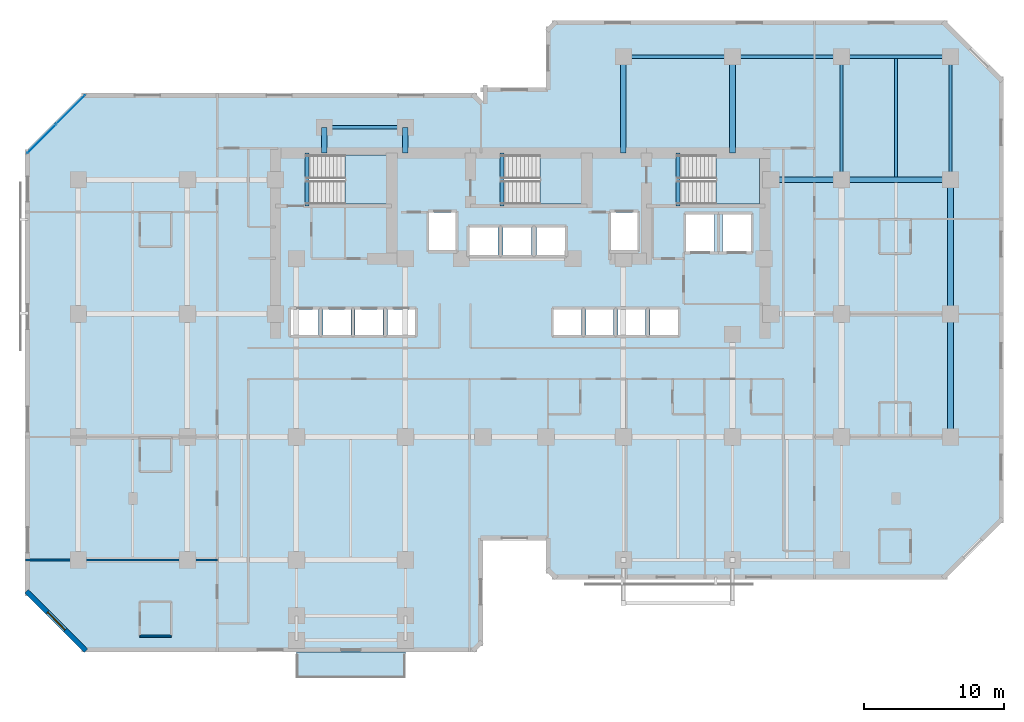
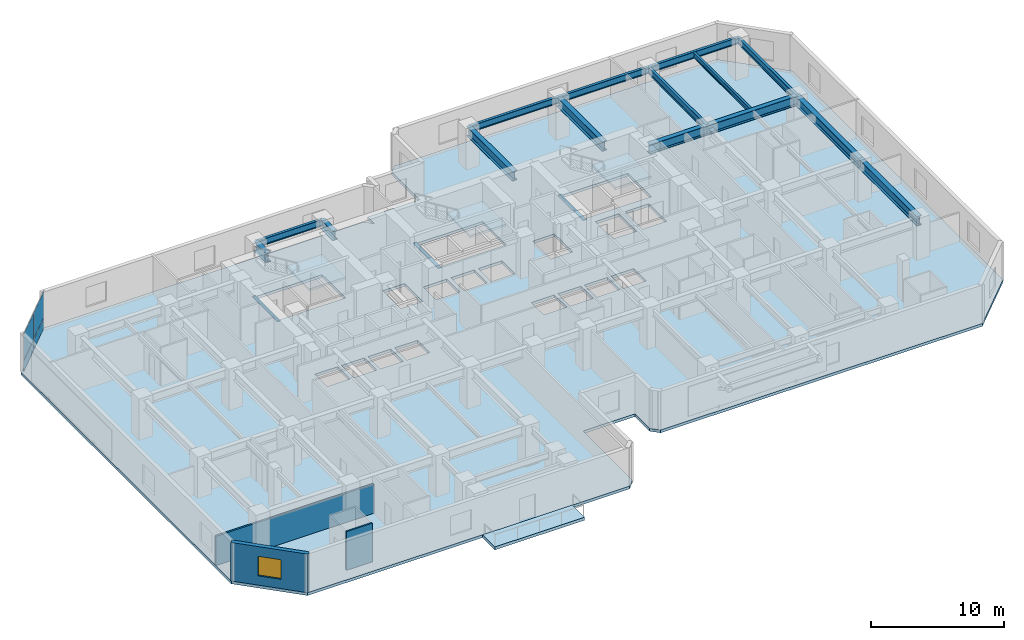
# One storey, part 5 of 12: 18 beams, 5 slabs, 4 plates, 3 walls, 1 window, 1 opening, 4 elements without a shape of their own.
"""IFC4 building model written with IfcOpenShell, lengths in metres."""

import ifcopenshell
import ifcopenshell.guid

model = None  # the IFC model being written
_history = None  # IfcOwnerHistory: only IFC2X3 demands one
_inside = {}  # id of a spatial element -> (the spatial element, [elements in it])
_under = {}  # id of a project, library or spatial element -> (it, [spatial elements below it])
_declared = {}  # id of a project -> (the project, [libraries it declares])
_typed = {}  # id of a type object -> (the type object, [elements of that type])
_made_of = {}  # id of a material, layer set ... -> (it, [elements and type objects made of it])


def new_model(schema):
    """Start an empty IFC model of exactly this schema.

    Asked for "IFC4X3", IfcOpenShell would pick the latest addendum, in which some entities
    have other attributes; the version numbers below select the first issue.
    IFC2X3 requires an IfcOwnerHistory on every rooted entity: one is made here for all.
    """
    global model, _history
    if schema == "IFC4X3":
        model = ifcopenshell.file(schema_version=(4, 3, 0, 0))
    else:
        model = ifcopenshell.file(schema=schema)
    _inside.clear()
    _under.clear()
    _declared.clear()
    _typed.clear()
    _made_of.clear()
    _history = None
    if model.schema == "IFC2X3":
        org = make("IfcOrganization", Name="unknown")
        user = make(
            "IfcPersonAndOrganization",
            ThePerson=make("IfcPerson", FamilyName="unknown"),
            TheOrganization=org,
        )
        app = make(
            "IfcApplication",
            ApplicationDeveloper=org,
            Version="unknown",
            ApplicationFullName="unknown",
            ApplicationIdentifier="unknown",
        )
        _history = make(
            "IfcOwnerHistory",
            OwningUser=user,
            OwningApplication=app,
            ChangeAction="ADDED",
            CreationDate=0,
        )
    return model


def make(cls, **values):
    """One entity of the class cls with the attributes given. An attribute that is None is left unset."""
    return model.create_entity(
        cls, **{name: value for name, value in values.items() if value is not None}
    )


def rooted(cls, **values):
    """An entity with a GlobalId (a new one), such as an element, a storey or a relation."""
    return make(cls, GlobalId=ifcopenshell.guid.new(), OwnerHistory=_history, **values)


def si_unit(unit_type, name, prefix=None):
    """IfcSIUnit, for example si_unit("LENGTHUNIT", "METRE", prefix="MILLI")."""
    return make("IfcSIUnit", UnitType=unit_type, Prefix=prefix, Name=name)


def assignment(units):
    """IfcUnitAssignment: the units of a project."""
    return None if units is None else make("IfcUnitAssignment", Units=units)


def point(xyz):
    """IfcCartesianPoint."""
    return None if xyz is None else make("IfcCartesianPoint", Coordinates=xyz)


def direction(xyz):
    """IfcDirection."""
    return None if xyz is None else make("IfcDirection", DirectionRatios=xyz)


def frame(location, z_axis=None, x_axis=None):
    """IfcAxis2Placement3D, a coordinate frame: its origin and axes. An axis left out is left unset."""
    return make(
        "IfcAxis2Placement3D",
        Location=point(location),
        Axis=direction(z_axis),
        RefDirection=direction(x_axis),
    )


def frame_2d(location, x_axis=None):
    """IfcAxis2Placement2D, a coordinate frame in the plane: its origin and x axis."""
    return make(
        "IfcAxis2Placement2D", Location=point(location), RefDirection=direction(x_axis)
    )


def origin():
    """The frame at (0, 0, 0) with its axes left unset."""
    return frame((0.0, 0.0, 0.0))


def origin_2d():
    """The frame at (0, 0) in the plane with its x axis left unset."""
    return frame_2d((0.0, 0.0))


def place(relative_to, where):
    """IfcLocalPlacement: puts the frame where relative to a parent placement (None: the world)."""
    return make(
        "IfcLocalPlacement", PlacementRelTo=relative_to, RelativePlacement=where
    )


def context(
    kind, dimensions, precision=None, world=None, true_north=None, identifier=None
):
    """IfcGeometricRepresentationContext, for example the 3D "Model" context."""
    return make(
        "IfcGeometricRepresentationContext",
        ContextIdentifier=identifier,
        ContextType=kind,
        CoordinateSpaceDimension=dimensions,
        Precision=precision,
        WorldCoordinateSystem=world,
        TrueNorth=true_north,
    )


def subcontext(parent, identifier, kind, view, scale=None):
    """IfcGeometricRepresentationSubContext, for example "Body" below "Model"."""
    return make(
        "IfcGeometricRepresentationSubContext",
        ContextIdentifier=identifier,
        ContextType=kind,
        ParentContext=parent,
        TargetScale=scale,
        TargetView=view,
    )


def project(units=None, contexts=None):
    """IfcProject with its units and contexts."""
    return rooted(
        "IfcProject",
        Name="project",
        RepresentationContexts=contexts,
        UnitsInContext=assignment(units),
    )


def spatial(cls, under=None, at=None, **own):
    """A site, building, storey or space (cls), placed at a placement, below another one or the project."""
    s = rooted(cls, ObjectPlacement=at, **own)
    if under is not None:
        _under.setdefault(under.id(), (under, []))[1].append(s)
    return s


def polyline(points):
    """IfcPolyline through the points."""
    return make("IfcPolyline", Points=[point(p) for p in points])


def profile(cls, at=None, kind="AREA", **sizes):
    """A parametric profile (cls). Its sizes go by their IFC names, for example OverallWidth=200.0."""
    return make(cls, ProfileType=kind, Position=at, **sizes)


def rectangle(**sizes):
    """IfcRectangleProfileDef."""
    return profile("IfcRectangleProfileDef", **sizes)


def i_section(**sizes):
    """IfcIShapeProfileDef."""
    return profile("IfcIShapeProfileDef", **sizes)


def outline(outer, holes=None, kind="AREA"):
    """IfcArbitraryClosedProfileDef: a profile drawn as a closed curve; with holes, ...WithVoids."""
    if holes is None:
        return make("IfcArbitraryClosedProfileDef", ProfileType=kind, OuterCurve=outer)
    return make(
        "IfcArbitraryProfileDefWithVoids",
        ProfileType=kind,
        OuterCurve=outer,
        InnerCurves=holes,
    )


def extrude(swept, where, along, depth):
    """IfcExtrudedAreaSolid: the profile swept, set in the frame where, extruded along a direction by depth."""
    return make(
        "IfcExtrudedAreaSolid",
        SweptArea=swept,
        Position=where,
        ExtrudedDirection=direction(along),
        Depth=depth,
    )


def shape(context_of_items, identifier, shape_type, items):
    """IfcShapeRepresentation: the items that make up one representation, for example the "Body"."""
    return make(
        "IfcShapeRepresentation",
        ContextOfItems=context_of_items,
        RepresentationIdentifier=identifier,
        RepresentationType=shape_type,
        Items=items,
    )


def material(Name=None, Category=None):
    """IfcMaterial."""
    return make("IfcMaterial", Name=Name, Category=Category)


def layer(
    of_material, thickness, ventilated=None, Name=None, Category=None, Priority=None
):
    """IfcMaterialLayer: one layer of a wall or slab, of a material (None: an air gap)."""
    return make(
        "IfcMaterialLayer",
        Material=of_material,
        LayerThickness=thickness,
        IsVentilated=ventilated,
        Name=Name,
        Category=Category,
        Priority=Priority,
    )


def layer_set(layers, Name=None):
    """IfcMaterialLayerSet."""
    return make("IfcMaterialLayerSet", MaterialLayers=layers, LayerSetName=Name)


def material_profile(
    of_material, cross_section, Name=None, Category=None, Priority=None
):
    """IfcMaterialProfile: a cross section and its material."""
    return make(
        "IfcMaterialProfile",
        Name=Name,
        Material=of_material,
        Profile=cross_section,
        Priority=Priority,
        Category=Category,
    )


def profile_set(profiles, Name=None, composite=None):
    """IfcMaterialProfileSet."""
    return make(
        "IfcMaterialProfileSet",
        Name=Name,
        MaterialProfiles=profiles,
        CompositeProfile=composite,
    )


def made_of(thing, what):
    """Note that an element or type object is made of a material, layer set ...; save() writes the relation."""
    if what is not None:
        _made_of.setdefault(what.id(), (what, []))[1].append(thing)
    return thing


def type_object(cls, material=None, **own):
    """A type object (cls), such as IfcWallType, which elements share."""
    return made_of(rooted(cls, **own), material)


def element(
    cls,
    number,
    at=None,
    inside=None,
    cuts=None,
    type_object=None,
    material=None,
    context=None,
    identifier="Body",
    shape_type=None,
    held_by="IfcProductDefinitionShape",
    body=None,
    shapes=None,
    **own,
):
    """One element of the class cls, such as IfcWall. Its Tag is "e" and its number.

    at: its placement. inside: the storey or other place that contains it. cuts: it is an
    opening in that element (IfcRelVoidsElement). A single representation is given by context,
    identifier, shape_type and body (its items); several are given by shapes. held_by: the class
    of the entity that holds the representations. save() writes the other relations.
    """
    e = rooted(cls, Tag="e%d" % number, ObjectPlacement=at, **own)
    if body is not None:
        shapes = [shape(context, identifier, shape_type, body)]
    if shapes is not None:
        e.Representation = make(held_by, Representations=shapes)
    if inside is not None:
        _inside.setdefault(inside.id(), (inside, []))[1].append(e)
    if cuts is not None:
        rooted(
            "IfcRelVoidsElement", RelatingBuildingElement=cuts, RelatedOpeningElement=e
        )
    if type_object is not None:
        _typed.setdefault(type_object.id(), (type_object, []))[1].append(e)
    return made_of(e, material)


def fill(opening, filler):
    """IfcRelFillsElement: the door or window that sits in an opening."""
    return rooted(
        "IfcRelFillsElement",
        RelatingOpeningElement=opening,
        RelatedBuildingElement=filler,
    )


def aggregate(whole, parts):
    """IfcRelAggregates: a whole, such as a stair, and the parts it consists of."""
    return rooted("IfcRelAggregates", RelatingObject=whole, RelatedObjects=parts)


def save(model, path):
    """Write the relations noted so far, then the file.

    IfcRelAggregates (storeys below a building ...), IfcRelContainedInSpatialStructure (elements
    in a storey), IfcRelDefinesByType, IfcRelAssociatesMaterial and IfcRelDeclares: one each for
    every whole, place, type object, material and project.
    """
    for whole, parts in _under.values():
        aggregate(whole, parts)
    for where, things in _inside.values():
        rooted(
            "IfcRelContainedInSpatialStructure",
            RelatedElements=things,
            RelatingStructure=where,
        )
    for kind, things in _typed.values():
        rooted("IfcRelDefinesByType", RelatedObjects=things, RelatingType=kind)
    for what, things in _made_of.values():
        rooted("IfcRelAssociatesMaterial", RelatedObjects=things, RelatingMaterial=what)
    for by, libraries in _declared.values():
        rooted("IfcRelDeclares", RelatingContext=by, RelatedDefinitions=libraries)
    model.write(path)


model = new_model("IFC4")

# Units and contexts
model_context = context("Model", 3, precision=1e-05, world=origin(), true_north=direction((0.0, 1.0)))
body_context = subcontext(model_context, "Body", "Model", "MODEL_VIEW")
ifc_project = project(units=[si_unit("LENGTHUNIT", "METRE"), si_unit("AREAUNIT", "SQUARE_METRE"), si_unit("VOLUMEUNIT", "CUBIC_METRE"), si_unit("PLANEANGLEUNIT", "RADIAN"), si_unit("MASSUNIT", "GRAM", prefix="KILO")], contexts=[model_context])

# Site, building, storey
site_placement = place(None, origin())
site = spatial("IfcSite", under=ifc_project, at=site_placement, CompositionType="ELEMENT")
building_placement = place(site_placement, origin())
building = spatial("IfcBuilding", under=site, at=building_placement, Name="Kestravale Grand Hotel", CompositionType="ELEMENT")
storey_placement = place(building_placement, frame((0.0, 0.0, 103.199951171875)))
storey = spatial("IfcBuildingStorey", under=building, at=storey_placement, Name="L25", CompositionType="ELEMENT", Elevation=103.199951171875)

# Beams
ifc_material_1 = material(Name="Steel ASTM A992 Grade 50", Category="steel")
ifc_material_profile_1 = material_profile(ifc_material_1, i_section(OverallWidth=0.19091796875, OverallDepth=0.45703125, WebThickness=0.009033203125, FlangeThickness=0.014404296875, FilletRadius=0.015380859375, at=origin_2d()))
ifc_profile_set_1 = profile_set([ifc_material_profile_1], Name="Steel ASTM A992 Grade 50")
beam_type_1 = type_object("IfcBeamType", Name="B-FLR-JST18", PredefinedType="JOIST", material=ifc_profile_set_1)
beam_1_placement = place(storey_placement, frame((66.300048828125, 38.6005859375, 3.3115234375), z_axis=(0.0, 1.0, 0.0), x_axis=(-1.0, 0.0, 0.0)))
element("IfcBeam", 1, at=beam_1_placement, inside=storey, type_object=beam_type_1, Name="L25 floor joist 10-11/F-G #1", PredefinedType="JOIST", context=body_context, shape_type="SweptSolid", body=[
    extrude(i_section(OverallWidth=0.19091796875, OverallDepth=0.45703125, WebThickness=0.009033203125, FlangeThickness=0.014404296875, FilletRadius=0.015380859375, at=origin_2d()), origin(), (0.0, 0.0, 1.0), 8.48486328125),
])
ifc_material_2 = material(Name="Concrete f'c 45 MPa", Category="concrete")
ifc_material_profile_2 = material_profile(ifc_material_2, rectangle(XDim=0.300048828125, YDim=0.39990234375, at=origin_2d()))
ifc_profile_set_2 = profile_set([ifc_material_profile_2], Name="Concrete f'c 45 MPa")
beam_type_2 = type_object("IfcBeamType", Name="B-FLR-LNT400", PredefinedType="LINTEL", material=ifc_profile_set_2)
for number, where, z_axis, x_axis, name in (
    (2, (24.159912109375, 36.52001953125, -0.199951171875), (0.0, 1.0, 0.0), (-1.0, 0.0, 0.0), "L25 ST1 flight bottom header beam"),
    (3, (38.110107421875, 36.52001953125, -0.199951171875), (0.0, 1.0, 0.0), (-1.0, 0.0, 0.0), "L25 ST2 flight bottom header beam"),
    (4, (50.7099609375, 36.52001953125, -0.199951171875), (0.0, 1.0, 0.0), (-1.0, 0.0, 0.0), "L25 ST3 flight bottom header beam"),
):
    element("IfcBeam", number, at=place(storey_placement, frame(where, z_axis=z_axis, x_axis=x_axis)), inside=storey, type_object=beam_type_2, Name=name, PredefinedType="LINTEL", context=body_context, shape_type="SweptSolid", body=[
        extrude(rectangle(XDim=0.300048828125, YDim=0.39990234375, at=origin_2d()), origin(), (0.0, 0.0, 1.0), 3.800048828125),
    ])
ifc_material_3 = material(Name="Steel ASTM A992 Grade 50", Category="steel")
ifc_material_profile_3 = material_profile(ifc_material_3, i_section(OverallWidth=0.22900390625, OverallDepth=0.612060546875, WebThickness=0.011962890625, FlangeThickness=0.01953125, FilletRadius=0.019287109375, at=origin_2d()))
ifc_profile_set_3 = profile_set([ifc_material_profile_3], Name="Steel ASTM A992 Grade 50")
beam_type_3 = type_object("IfcBeamType", Name="B-FLR-W24B", PredefinedType="SPANDREL", material=ifc_profile_set_3)
beam_2_placement = place(storey_placement, frame((46.800048828125, 47.199951171875, 3.234130859375), z_axis=(1.0, 0.0, 0.0), x_axis=(0.0, 1.0, 0.0)))
element("IfcBeam", 5, at=beam_2_placement, inside=storey, type_object=beam_type_3, Name="L25 spandrel G:8-9", PredefinedType="SPANDREL", context=body_context, shape_type="SweptSolid", body=[
    extrude(i_section(OverallWidth=0.22900390625, OverallDepth=0.612060546875, WebThickness=0.011962890625, FlangeThickness=0.01953125, FilletRadius=0.019287109375, at=origin_2d()), origin(), (0.0, 0.0, 1.0), 7.800048828125),
])
beam_3_placement = place(storey_placement, frame((54.60009765625, 47.199951171875, 3.234130859375), z_axis=(1.0, 0.0, 0.0), x_axis=(0.0, 1.0, 0.0)))
element("IfcBeam", 6, at=beam_3_placement, inside=storey, type_object=beam_type_3, Name="L25 spandrel G:9-10", PredefinedType="SPANDREL", context=body_context, shape_type="SweptSolid", body=[
    extrude(i_section(OverallWidth=0.22900390625, OverallDepth=0.612060546875, WebThickness=0.011962890625, FlangeThickness=0.01953125, FilletRadius=0.019287109375, at=origin_2d()), origin(), (0.0, 0.0, 1.0), 7.7998046875),
])
beam_4_placement = place(storey_placement, frame((62.39990234375, 47.199951171875, 3.234130859375), z_axis=(1.0, 0.0, 0.0), x_axis=(0.0, 1.0, 0.0)))
element("IfcBeam", 7, at=beam_4_placement, inside=storey, type_object=beam_type_3, Name="L25 spandrel G:10-11", PredefinedType="SPANDREL", context=body_context, shape_type="SweptSolid", body=[
    extrude(i_section(OverallWidth=0.22900390625, OverallDepth=0.612060546875, WebThickness=0.011962890625, FlangeThickness=0.01953125, FilletRadius=0.019287109375, at=origin_2d()), origin(), (0.0, 0.0, 1.0), 7.800048828125),
])
beam_5_placement = place(storey_placement, frame((25.39990234375, 42.14990234375, 3.234130859375), z_axis=(1.0, 0.0, 0.0), x_axis=(0.0, 1.0, 0.0)))
element("IfcBeam", 8, at=beam_5_placement, inside=storey, type_object=beam_type_3, Name="L25 perimeter tie spandrel FN:4-5", PredefinedType="SPANDREL", context=body_context, shape_type="SweptSolid", body=[
    extrude(i_section(OverallWidth=0.22900390625, OverallDepth=0.612060546875, WebThickness=0.011962890625, FlangeThickness=0.01953125, FilletRadius=0.019287109375, at=origin_2d()), origin(), (0.0, 0.0, 1.0), 5.800048828125),
])
for number, where, z_axis, x_axis, name in (
    (9, (62.39990234375, 38.39990234375, 3.234130859375), (0.0, 1.0, 0.0), (-1.0, 0.0, 0.0), "L25 spandrel 10:F-G"),
    (10, (70.199951171875, 38.39990234375, 3.234130859375), (0.0, 1.0, 0.0), (-1.0, 0.0, 0.0), "L25 spandrel 11:F-G"),
):
    element("IfcBeam", number, at=place(storey_placement, frame(where, z_axis=z_axis, x_axis=x_axis)), inside=storey, type_object=beam_type_3, Name=name, PredefinedType="SPANDREL", context=body_context, shape_type="SweptSolid", body=[
        extrude(i_section(OverallWidth=0.22900390625, OverallDepth=0.612060546875, WebThickness=0.011962890625, FlangeThickness=0.01953125, FilletRadius=0.019287109375, at=origin_2d()), origin(), (0.0, 0.0, 1.0), 8.800048828125),
    ])
ifc_material_4 = material(Name="Steel ASTM A992 Grade 50", Category="steel")
ifc_material_profile_4 = material_profile(ifc_material_4, i_section(OverallWidth=0.40087890625, OverallDepth=0.861083984375, WebThickness=0.019775390625, FlangeThickness=0.032470703125, FilletRadius=0.0234375, at=origin_2d()))
ifc_profile_set_4 = profile_set([ifc_material_profile_4], Name="Steel ASTM A992 Grade 50")
beam_type_4 = type_object("IfcBeamType", Name="B-GRD-W33", PredefinedType="BEAM", material=ifc_profile_set_4)
beam_6_placement = place(storey_placement, frame((57.35009765625, 38.39990234375, 3.109619140625), z_axis=(1.0, 0.0, 0.0), x_axis=(0.0, 1.0, 0.0)))
element("IfcBeam", 11, at=beam_6_placement, inside=storey, type_object=beam_type_4, Name="L25 girder F:CE-10", PredefinedType="BEAM", context=body_context, shape_type="SweptSolid", body=[
    extrude(i_section(OverallWidth=0.40087890625, OverallDepth=0.861083984375, WebThickness=0.019775390625, FlangeThickness=0.032470703125, FilletRadius=0.0234375, at=origin_2d()), origin(), (0.0, 0.0, 1.0), 5.0498046875),
])
beam_7_placement = place(storey_placement, frame((62.39990234375, 38.39990234375, 3.109619140625), z_axis=(1.0, 0.0, 0.0), x_axis=(0.0, 1.0, 0.0)))
element("IfcBeam", 12, at=beam_7_placement, inside=storey, type_object=beam_type_4, Name="L25 girder F:10-11", PredefinedType="BEAM", context=body_context, shape_type="SweptSolid", body=[
    extrude(i_section(OverallWidth=0.40087890625, OverallDepth=0.861083984375, WebThickness=0.019775390625, FlangeThickness=0.032470703125, FilletRadius=0.0234375, at=origin_2d()), origin(), (0.0, 0.0, 1.0), 7.800048828125),
])
beam_8_placement = place(storey_placement, frame((70.199951171875, 20.0, 3.109619140625), z_axis=(0.0, 1.0, 0.0), x_axis=(-1.0, 0.0, 0.0)))
element("IfcBeam", 13, at=beam_8_placement, inside=storey, type_object=beam_type_4, Name="L25 girder 11:D-E", PredefinedType="BEAM", context=body_context, shape_type="SweptSolid", body=[
    extrude(i_section(OverallWidth=0.40087890625, OverallDepth=0.861083984375, WebThickness=0.019775390625, FlangeThickness=0.032470703125, FilletRadius=0.0234375, at=origin_2d()), origin(), (0.0, 0.0, 1.0), 8.800048828125),
])
beam_9_placement = place(storey_placement, frame((70.199951171875, 28.800048828125, 3.109619140625), z_axis=(0.0, 1.0, 0.0), x_axis=(-1.0, 0.0, 0.0)))
element("IfcBeam", 14, at=beam_9_placement, inside=storey, type_object=beam_type_4, Name="L25 girder 11:E-F", PredefinedType="BEAM", context=body_context, shape_type="SweptSolid", body=[
    extrude(i_section(OverallWidth=0.40087890625, OverallDepth=0.861083984375, WebThickness=0.019775390625, FlangeThickness=0.032470703125, FilletRadius=0.0234375, at=origin_2d()), origin(), (0.0, 0.0, 1.0), 9.599853515625),
])
for number, where, z_axis, x_axis, name in (
    (15, (25.39990234375, 40.320068359375, 3.109619140625), (0.0, 1.0, 0.0), (-1.0, 0.0, 0.0), "L25 north wing tie girder 4:CN-FN"),
    (16, (31.199951171875, 40.320068359375, 3.109619140625), (0.0, 1.0, 0.0), (-1.0, 0.0, 0.0), "L25 north wing tie girder 5:CN-FN"),
):
    element("IfcBeam", number, at=place(storey_placement, frame(where, z_axis=z_axis, x_axis=x_axis)), inside=storey, type_object=beam_type_4, Name=name, PredefinedType="BEAM", context=body_context, shape_type="SweptSolid", body=[
        extrude(i_section(OverallWidth=0.40087890625, OverallDepth=0.861083984375, WebThickness=0.019775390625, FlangeThickness=0.032470703125, FilletRadius=0.0234375, at=origin_2d()), origin(), (0.0, 0.0, 1.0), 1.829833984375),
    ])
for number, where, z_axis, x_axis, name in (
    (17, (46.800048828125, 40.320068359375, 3.109619140625), (0.0, 1.0, 0.0), (-1.0, 0.0, 0.0), "L25 north wing tie girder 8:CN-G"),
    (18, (54.60009765625, 40.320068359375, 3.109619140625), (0.0, 1.0, 0.0), (-1.0, 0.0, 0.0), "L25 north wing tie girder 9:CN-G"),
):
    element("IfcBeam", number, at=place(storey_placement, frame(where, z_axis=z_axis, x_axis=x_axis)), inside=storey, type_object=beam_type_4, Name=name, PredefinedType="BEAM", context=body_context, shape_type="SweptSolid", body=[
        extrude(i_section(OverallWidth=0.40087890625, OverallDepth=0.861083984375, WebThickness=0.019775390625, FlangeThickness=0.032470703125, FilletRadius=0.0234375, at=origin_2d()), origin(), (0.0, 0.0, 1.0), 6.8798828125),
    ])

# Curtain wall, plates
ifc_material_5 = material(Name="Thermally broken champagne-bronze aluminium and low-E glazing", Category="aluminium")
ifc_layer_1 = layer(ifc_material_5, 0.199951171875)
ifc_layer_set_1 = layer_set([ifc_layer_1], Name="CW-Z2")
curtain_wall_type = type_object("IfcCurtainWallType", Name="CW-Z2", PredefinedType="NOTDEFINED", material=ifc_layer_set_1)
curtain_wall_placement = place(storey_placement, origin())
curtain_wall = element("IfcCurtainWall", 19, at=curtain_wall_placement, inside=storey, type_object=curtain_wall_type, Name="L25 unitised curtain wall 18", PredefinedType="NOTDEFINED")
ifc_material_6 = material(Name="Insulated clear low-E double glazing IGU", Category="glass")
ifc_layer_2 = layer(ifc_material_6, 0.031982421875)
ifc_layer_set_2 = layer_set([ifc_layer_2], Name="CW-PNL-32")
plate_type = type_object("IfcPlateType", Name="CW-PNL-32", PredefinedType="CURTAIN_PANEL", material=ifc_layer_set_2)
plate_1_placement = place(storey_placement, frame((7.26416015625, 43.423583984375, 0.06494140625), z_axis=(0.0, 0.0, 1.0), x_axis=(-0.707106781187, -0.707106781187, 0.0)))
plate_1 = element("IfcPlate", 20, at=plate_1_placement, type_object=plate_type, Name="CW-Z2 panel 1.1", PredefinedType="CURTAIN_PANEL", context=body_context, shape_type="SweptSolid", body=[
    extrude(rectangle(XDim=2.87744140625, YDim=0.031982421875, at=origin_2d()), origin(), (0.0, 0.0, 1.0), 0.952392578125),
])
plate_2_placement = place(storey_placement, frame((7.26416015625, 43.423583984375, 1.08251953125), z_axis=(0.0, 0.0, 1.0), x_axis=(-0.707106781187, -0.707106781187, 0.0)))
plate_2 = element("IfcPlate", 21, at=plate_2_placement, type_object=plate_type, Name="CW-Z2 panel 1.2", PredefinedType="CURTAIN_PANEL", context=body_context, shape_type="SweptSolid", body=[
    extrude(rectangle(XDim=2.87744140625, YDim=0.031982421875, at=origin_2d()), origin(), (0.0, 0.0, 1.0), 2.392578125),
])
plate_3_placement = place(storey_placement, frame((5.17626953125, 41.3359375, 0.06494140625), z_axis=(0.0, 0.0, 1.0), x_axis=(-0.707106781187, -0.707106781187, 0.0)))
plate_3 = element("IfcPlate", 22, at=plate_3_placement, type_object=plate_type, Name="CW-Z2 panel 2.1", PredefinedType="CURTAIN_PANEL", context=body_context, shape_type="SweptSolid", body=[
    extrude(rectangle(XDim=2.87744140625, YDim=0.031982421875, at=origin_2d()), origin(), (0.0, 0.0, 1.0), 0.952392578125),
])
plate_4_placement = place(storey_placement, frame((5.17626953125, 41.3359375, 1.08251953125), z_axis=(0.0, 0.0, 1.0), x_axis=(-0.707106781187, -0.707106781187, 0.0)))
plate_4 = element("IfcPlate", 23, at=plate_4_placement, type_object=plate_type, Name="CW-Z2 panel 2.2", PredefinedType="CURTAIN_PANEL", context=body_context, shape_type="SweptSolid", body=[
    extrude(rectangle(XDim=2.87744140625, YDim=0.031982421875, at=origin_2d()), origin(), (0.0, 0.0, 1.0), 2.392578125),
])
aggregate(curtain_wall, [plate_1, plate_2, plate_3, plate_4])

# Slab
ifc_material_7 = material(Name="Concrete f'c 45 MPa", Category="concrete")
ifc_layer_3 = layer(ifc_material_7, 0.27001953125)
ifc_layer_set_3 = layer_set([ifc_layer_3], Name="ES-TERR-270")
slab_type_1 = type_object("IfcSlabType", Name="ES-TERR-270", PredefinedType="FLOOR", material=ifc_layer_set_3)
slab_1_placement = place(storey_placement, frame((0.0, 0.0, -0.27001953125)))
element("IfcSlab", 24, at=slab_1_placement, inside=storey, type_object=slab_type_1, Name="L25 spiralling planted garden terrace", PredefinedType="FLOOR", context=body_context, shape_type="SweptSolid", body=[
    extrude(outline(polyline([(23.39990234375, 2.75), (31.199951171875, 2.75), (31.199951171875, 4.60009765625), (23.39990234375, 4.60009765625), (23.39990234375, 2.75)])), origin(), (0.0, 0.0, 1.0), 0.27001953125),
])

# Stair, slab
ifc_material_8 = material(Name="Concrete f'c 45 MPa", Category="concrete")
stair_type = type_object("IfcStairType", Name="ST-CORE-380", PredefinedType="HALF_TURN_STAIR", material=ifc_material_8)
stair_1_placement = place(storey_placement, origin())
stair_1 = element("IfcStair", 25, at=stair_1_placement, inside=storey, type_object=stair_type, Name="L25 ST-1", PredefinedType="HALF_TURN_STAIR")
ifc_material_9 = material(Name="Concrete f'c 45 MPa", Category="concrete")
ifc_layer_4 = layer(ifc_material_9, 0.199951171875)
ifc_layer_set_4 = layer_set([ifc_layer_4], Name="SLB-ST-LND200")
slab_type_2 = type_object("IfcSlabType", Name="SLB-ST-LND200", PredefinedType="LANDING", material=ifc_layer_set_4)
slab_2_placement = place(storey_placement, frame((0.0, 0.0, 1.699951171875)))
slab_2 = element("IfcSlab", 26, at=slab_2_placement, type_object=slab_type_2, Name="ST-1 landing 1", PredefinedType="LANDING", context=body_context, shape_type="SweptSolid", body=[
    extrude(outline(polyline([(26.8798828125, 36.64990234375), (30.0, 36.64990234375), (30.0, 40.159912109375), (26.8798828125, 40.159912109375), (26.8798828125, 36.64990234375)])), origin(), (0.0, 0.0, 1.0), 0.2001953125),
])
aggregate(stair_1, [slab_2])

stair_2_placement = place(storey_placement, origin())
stair_2 = element("IfcStair", 27, at=stair_2_placement, inside=storey, type_object=stair_type, Name="L25 ST-2", PredefinedType="HALF_TURN_STAIR")
slab_3_placement = place(storey_placement, frame((0.0, 0.0, 1.699951171875)))
slab_3 = element("IfcSlab", 28, at=slab_3_placement, type_object=slab_type_2, Name="ST-2 landing 1", PredefinedType="LANDING", context=body_context, shape_type="SweptSolid", body=[
    extrude(outline(polyline([(40.830078125, 36.64990234375), (43.949951171875, 36.64990234375), (43.949951171875, 40.159912109375), (40.830078125, 40.159912109375), (40.830078125, 36.64990234375)])), origin(), (0.0, 0.0, 1.0), 0.2001953125),
])
aggregate(stair_2, [slab_3])

stair_3_placement = place(storey_placement, origin())
stair_3 = element("IfcStair", 29, at=stair_3_placement, inside=storey, type_object=stair_type, Name="L25 ST-3", PredefinedType="HALF_TURN_STAIR")
slab_4_placement = place(storey_placement, frame((0.0, 0.0, 1.699951171875)))
slab_4 = element("IfcSlab", 30, at=slab_4_placement, type_object=slab_type_2, Name="ST-3 landing 1", PredefinedType="LANDING", context=body_context, shape_type="SweptSolid", body=[
    extrude(outline(polyline([(53.429931640625, 36.64990234375), (56.550048828125, 36.64990234375), (56.550048828125, 40.159912109375), (53.429931640625, 40.159912109375), (53.429931640625, 36.64990234375)])), origin(), (0.0, 0.0, 1.0), 0.2001953125),
])
aggregate(stair_3, [slab_4])

# Slab
ifc_material_10 = material(Name="Concrete f'c 45 MPa", Category="concrete")
ifc_layer_5 = layer(ifc_material_10, 0.260009765625)
ifc_layer_set_5 = layer_set([ifc_layer_5], Name="SS-FLR-260")
slab_type_3 = type_object("IfcSlabType", Name="SS-FLR-260", PredefinedType="FLOOR", material=ifc_layer_set_5)
slab_5_placement = place(storey_placement, frame((0.0, 0.0, -0.260009765625)))
element("IfcSlab", 31, at=slab_5_placement, inside=storey, type_object=slab_type_3, Name="L25 structural floor slab", PredefinedType="FLOOR", context=body_context, shape_type="SweptSolid", body=[
    extrude(outline(polyline([(8.199951171875, 4.60009765625), (36.14990234375, 4.60009765625), (36.75, 5.199951171875), (36.75, 12.60009765625), (41.25, 12.60009765625), (41.25, 10.39990234375), (41.85009765625, 9.800048828125), (69.800048828125, 9.800048828125), (74.0, 14.0), (74.0, 45.60009765625), (69.800048828125, 49.800048828125), (41.85009765625, 49.800048828125), (41.25, 49.199951171875), (41.25, 45.0), (36.75, 45.0), (36.75, 44.0), (36.14990234375, 44.60009765625), (8.199951171875, 44.60009765625), (4.0, 40.39990234375), (4.0, 8.800048828125), (8.199951171875, 4.60009765625)]), holes=[polyline([(24.080078125, 36.64990234375), (30.0, 36.64990234375), (30.0, 40.159912109375), (24.080078125, 40.159912109375), (24.080078125, 36.64990234375)]), polyline([(38.030029296875, 36.64990234375), (43.949951171875, 36.64990234375), (43.949951171875, 40.159912109375), (38.030029296875, 40.159912109375), (38.030029296875, 36.64990234375)]), polyline([(50.6298828125, 36.64990234375), (56.550048828125, 36.64990234375), (56.550048828125, 40.159912109375), (50.6298828125, 40.159912109375), (50.6298828125, 36.64990234375)]), polyline([(23.0048828125, 27.280029296875), (24.9951171875, 27.280029296875), (24.9951171875, 29.1201171875), (23.0048828125, 29.1201171875), (23.0048828125, 27.280029296875)]), polyline([(25.304931640625, 27.280029296875), (27.294921875, 27.280029296875), (27.294921875, 29.1201171875), (25.304931640625, 29.1201171875), (25.304931640625, 27.280029296875)]), polyline([(27.60498046875, 27.280029296875), (29.594970703125, 27.280029296875), (29.594970703125, 29.1201171875), (27.60498046875, 29.1201171875), (27.60498046875, 27.280029296875)]), polyline([(29.905029296875, 27.280029296875), (31.89501953125, 27.280029296875), (31.89501953125, 29.1201171875), (29.905029296875, 29.1201171875), (29.905029296875, 27.280029296875)]), polyline([(41.804931640625, 27.280029296875), (43.794921875, 27.280029296875), (43.794921875, 29.1201171875), (41.804931640625, 29.1201171875), (41.804931640625, 27.280029296875)]), polyline([(44.10498046875, 27.280029296875), (46.094970703125, 27.280029296875), (46.094970703125, 29.1201171875), (44.10498046875, 29.1201171875), (44.10498046875, 27.280029296875)]), polyline([(46.405029296875, 27.280029296875), (48.39501953125, 27.280029296875), (48.39501953125, 29.1201171875), (46.405029296875, 29.1201171875), (46.405029296875, 27.280029296875)]), polyline([(48.705078125, 27.280029296875), (50.695068359375, 27.280029296875), (50.695068359375, 29.1201171875), (48.705078125, 29.1201171875), (48.705078125, 27.280029296875)]), polyline([(35.780029296875, 33.030029296875), (37.820068359375, 33.030029296875), (37.820068359375, 34.969970703125), (35.780029296875, 34.969970703125), (35.780029296875, 33.030029296875)]), polyline([(38.179931640625, 33.030029296875), (40.219970703125, 33.030029296875), (40.219970703125, 34.969970703125), (38.179931640625, 34.969970703125), (38.179931640625, 33.030029296875)]), polyline([(40.580078125, 33.030029296875), (42.6201171875, 33.030029296875), (42.6201171875, 34.969970703125), (40.580078125, 34.969970703125), (40.580078125, 33.030029296875)]), polyline([(32.905029296875, 33.35498046875), (34.794921875, 33.35498046875), (34.794921875, 36.044921875), (32.905029296875, 36.044921875), (32.905029296875, 33.35498046875)]), polyline([(45.905029296875, 33.35498046875), (47.794921875, 33.35498046875), (47.794921875, 36.044921875), (45.905029296875, 36.044921875), (45.905029296875, 33.35498046875)]), polyline([(51.280029296875, 33.280029296875), (53.320068359375, 33.280029296875), (53.320068359375, 35.919921875), (51.280029296875, 35.919921875), (51.280029296875, 33.280029296875)]), polyline([(53.8798828125, 33.280029296875), (55.919921875, 33.280029296875), (55.919921875, 35.919921875), (53.8798828125, 35.919921875), (53.8798828125, 33.280029296875)])]), origin(), (0.0, 0.0, 1.0), 0.260009765625),
])

# Wall, opening, window
ifc_material_11 = material(Name="Precast concrete f'c 45 MPa", Category="concrete")
ifc_layer_6 = layer(ifc_material_11, 0.340087890625)
ifc_layer_set_6 = layer_set([ifc_layer_6], Name="EW-PREC-340")
wall_type_1 = type_object("IfcWallType", Name="EW-PREC-340", PredefinedType="SOLIDWALL", material=ifc_layer_set_6)
wall_1_placement = place(storey_placement, frame((4.091796875, 8.948486328125, 0.0), z_axis=(0.0, 0.0, 1.0), x_axis=(0.707106781187, -0.707106781187, 0.0)))
wall_1 = element("IfcWall", 32, at=wall_1_placement, inside=storey, type_object=wall_type_1, Name="L25 fluted precast facade wall 20", PredefinedType="SOLIDWALL", context=body_context, shape_type="SweptSolid", body=[
    extrude(rectangle(XDim=6.019775390625, YDim=0.340087890625, at=frame_2d((3.009765625, 0.0))), origin(), (0.0, 0.0, 1.0), 3.5400390625),
])
opening_placement = place(wall_1_placement, frame((2.10986328125, 0.0, 0.85009765625)))
opening = element("IfcOpeningElement", 33, at=opening_placement, cuts=wall_1, Name="Opening W-GUEST-1800", PredefinedType="OPENING", context=body_context, shape_type="SweptSolid", body=[
    extrude(rectangle(XDim=1.800048828125, YDim=1.800048828125, at=frame_2d((0.89990234375, 0.89990234375))), frame((0.0, 0.179931640625, 0.0), z_axis=(0.0, -1.0, 0.0), x_axis=(1.0, 0.0, 0.0)), (0.0, 0.0, 1.0), 0.360107421875),
])
ifc_material_12 = material(Name="Insulated low-E double glazing in aluminium frame", Category="aluminium")
window_type = type_object("IfcWindowType", Name="W-GUEST-1800", PartitioningType="DOUBLE_PANEL_VERTICAL", PredefinedType="WINDOW", material=ifc_material_12)
window_placement = place(opening_placement, origin())
window = element("IfcWindow", 34, at=window_placement, inside=storey, type_object=window_type, Name="L25 exterior window 20.1", OverallHeight=1.800048828125, OverallWidth=1.800048828125, PartitioningType="SINGLE_PANEL", PredefinedType="WINDOW", context=body_context, shape_type="SweptSolid", body=[
    extrude(rectangle(XDim=1.800048828125, YDim=1.800048828125, at=frame_2d((0.89990234375, 0.89990234375))), frame((0.0, 0.030029296875, 0.0), z_axis=(0.0, -1.0, 0.0), x_axis=(1.0, 0.0, 0.0)), (0.0, 0.0, 1.0), 0.06005859375),
])
fill(opening, window)

# Walls
ifc_material_13 = material(Name="Moisture-resistant tile-backer plumbing chase wall", Category="other")
ifc_layer_7 = layer(ifc_material_13, 0.139892578125)
ifc_layer_set_7 = layer_set([ifc_layer_7], Name="IW-PLB-140")
wall_type_2 = type_object("IfcWallType", Name="IW-PLB-140", PredefinedType="PLUMBINGWALL", material=ifc_layer_set_7)
wall_2_placement = place(storey_placement, frame((12.199951171875, 5.75, 0.0), z_axis=(0.0, 0.0, 1.0), x_axis=(1.0, 0.0, 0.0)))
element("IfcWall", 35, at=wall_2_placement, inside=storey, type_object=wall_type_2, Name="W-L25-U04-BS", PredefinedType="PLUMBINGWALL", context=body_context, shape_type="SweptSolid", body=[
    extrude(rectangle(XDim=2.25, YDim=0.139892578125, at=frame_2d((1.125, 0.0))), origin(), (0.0, 0.0, 1.0), 3.5400390625),
])
ifc_material_14 = material(Name="Double-stud STC 52 acoustic demising partition", Category="other")
ifc_layer_8 = layer(ifc_material_14, 0.14990234375)
ifc_layer_set_8 = layer_set([ifc_layer_8], Name="IW-UNIT-150")
wall_type_3 = type_object("IfcWallType", Name="IW-UNIT-150", PredefinedType="PARTITIONING", material=ifc_layer_set_8)
wall_3_placement = place(storey_placement, frame((4.02001953125, 11.199951171875, 0.0), z_axis=(0.0, 0.0, 1.0), x_axis=(1.0, 0.0, 0.0)))
element("IfcWall", 36, at=wall_3_placement, inside=storey, type_object=wall_type_3, Name="W-L25-WW-1", PredefinedType="PARTITIONING", context=body_context, shape_type="SweptSolid", body=[
    extrude(rectangle(XDim=13.719970703125, YDim=0.14990234375, at=frame_2d((6.85986328125, 0.0))), origin(), (0.0, 0.0, 1.0), 2.678955078125),
])

save(model, "model.ifc")
